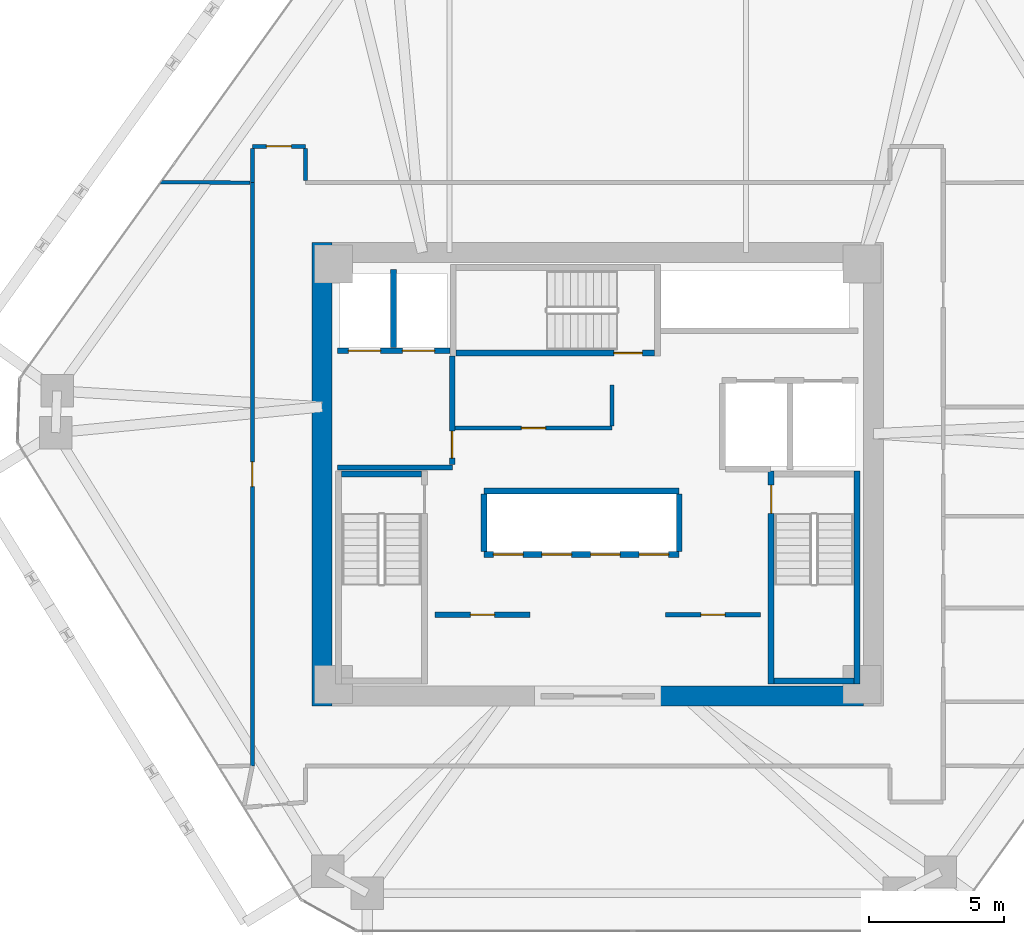
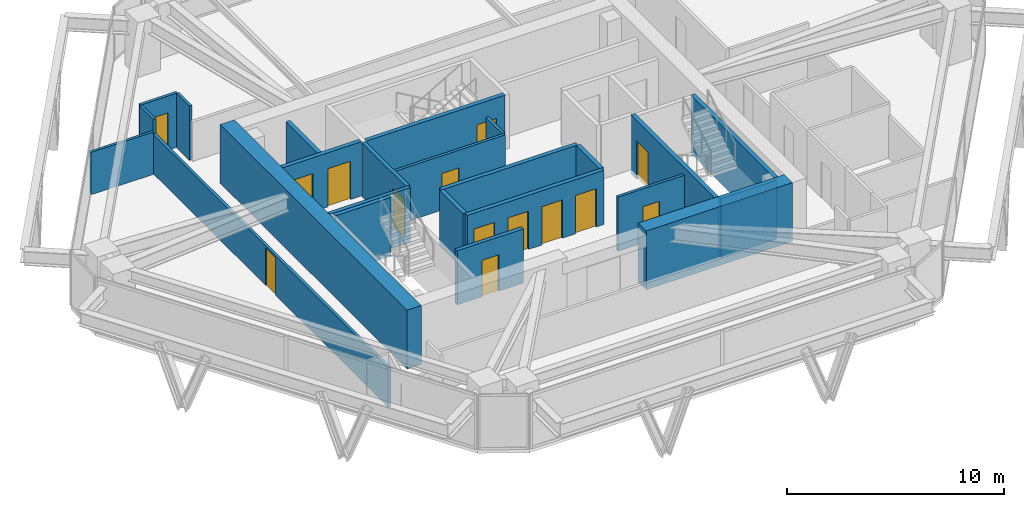
# One storey, part 10 of 13: 24 walls, 14 doors, 14 openings.
"""IFC4 building model written with IfcOpenShell, lengths in metres."""

from ifc_helpers import new_model, si_unit, direction, frame, frame_2d, origin, place, context, subcontext, project, spatial, rectangle, extrude, source, transform, mapped, material, layer, layer_set, type_object, type_shapes, element, fill, save


model = new_model("IFC4")

# Units and contexts
model_context = context("Model", 3, precision=1e-05, world=origin(), true_north=direction((0.0, 1.0)))
body_context = subcontext(model_context, "Body", "Model", "MODEL_VIEW")
ifc_project = project(units=[si_unit("LENGTHUNIT", "METRE"), si_unit("AREAUNIT", "SQUARE_METRE"), si_unit("VOLUMEUNIT", "CUBIC_METRE"), si_unit("PLANEANGLEUNIT", "RADIAN"), si_unit("MASSUNIT", "GRAM", prefix="KILO")], contexts=[model_context])

# Site, building, storey
site_placement = place(None, origin())
site = spatial("IfcSite", under=ifc_project, at=site_placement, CompositionType="ELEMENT")
building_placement = place(site_placement, origin())
building = spatial("IfcBuilding", under=site, at=building_placement, Name="Durnholm Broadcast Tower", CompositionType="ELEMENT")
storey_placement = place(building_placement, frame((0.0, 0.0, 100.800048828125)))
storey = spatial("IfcBuildingStorey", under=building, at=storey_placement, Name="L26", CompositionType="ELEMENT", Elevation=100.800048828125)

# Walls
ifc_material_1 = material(Name="Concrete C70/85", Category="concrete")
ifc_layer_1 = layer(ifc_material_1, 0.75)
ifc_layer_set_1 = layer_set([ifc_layer_1], Name="Concrete C70/85")
wall_type_1 = type_object("IfcWallType", Name="WALL-CW-750", PredefinedType="SHEAR", material=ifc_layer_set_1)
wall_1_placement = place(storey_placement, frame((-10.22509765625, -8.60009765625, 0.0), z_axis=(0.0, 0.0, 1.0), x_axis=(0.0, 1.0, 0.0)))
element("IfcWall", 1, at=wall_1_placement, inside=storey, type_object=wall_type_1, Name="L26 central core shear wall CW-WEST", PredefinedType="SHEAR", context=body_context, shape_type="SweptSolid", body=[
    extrude(rectangle(XDim=17.2001953125, YDim=0.75, at=frame_2d((8.60009765625, 0.0))), origin(), (0.0, 0.0, 1.0), 3.300048828125),
])
wall_2_placement = place(storey_placement, frame((2.10009765625, -8.22509765625, 0.0), z_axis=(0.0, 0.0, 1.0), x_axis=(1.0, 0.0, 0.0)))
element("IfcWall", 2, at=wall_2_placement, inside=storey, type_object=wall_type_1, Name="L26 central core shear wall CW-S2", PredefinedType="SHEAR", context=body_context, shape_type="SweptSolid", body=[
    extrude(rectangle(XDim=7.75, YDim=0.75, at=frame_2d((3.875, 0.0))), origin(), (0.0, 0.0, 1.0), 3.300048828125),
])
ifc_material_2 = material(Name="Fire-Rated Gypsum Shaftwall", Category="concrete")
ifc_layer_2 = layer(ifc_material_2, 0.199951171875)
ifc_layer_set_2 = layer_set([ifc_layer_2], Name="Fire-Rated Gypsum Shaftwall")
wall_type_2 = type_object("IfcWallType", Name="WALL-LOB-200", PredefinedType="SOLIDWALL", material=ifc_layer_set_2)
wall_3_placement = place(storey_placement, frame((-9.64990234375, 0.25, 0.0), z_axis=(0.0, 0.0, 1.0), x_axis=(1.0, 0.0, 0.0)))
element("IfcWall", 3, at=wall_3_placement, inside=storey, type_object=wall_type_2, Name="L26 Fire Service Access Elevator lobby south wall", PredefinedType="SOLIDWALL", context=body_context, shape_type="SweptSolid", body=[
    extrude(rectangle(XDim=4.27001953125, YDim=0.199951171875, at=frame_2d((2.135009765625, 0.0))), origin(), (0.0, 0.0, 1.0), 3.044921875),
])

# Wall, opening, door
wall_4_placement = place(storey_placement, frame((-5.39990234375, 0.35400390625, 0.0), z_axis=(0.0, 0.0, 1.0), x_axis=(0.0, 1.0, 0.0)))
wall_4 = element("IfcWall", 4, at=wall_4_placement, inside=storey, type_object=wall_type_2, Name="L26 Fire Service Access Elevator lobby east fire wall", PredefinedType="SOLIDWALL", context=body_context, shape_type="SweptSolid", body=[
    extrude(rectangle(XDim=4.02587890625, YDim=0.199951171875, at=frame_2d((2.012939453125, 0.0))), origin(), (0.0, 0.0, 1.0), 3.044921875),
])
opening_1_placement = place(wall_4_placement, frame((0.24609375, 0.0, 0.0)))
opening_1 = element("IfcOpeningElement", 5, at=opening_1_placement, cuts=wall_4, Name="Opening DL-60L", PredefinedType="OPENING", context=body_context, shape_type="SweptSolid", body=[
    extrude(rectangle(XDim=1.0, YDim=2.14990234375, at=frame_2d((0.5, 1.074951171875))), frame((0.0, 0.10986328125, 0.0), z_axis=(0.0, -1.0, 0.0), x_axis=(1.0, 0.0, 0.0)), (0.0, 0.0, 1.0), 0.219970703125),
])
ifc_material_3 = material(Name="Fire-Rated Timber/Steel Door", Category="steel")
ifc_layer_3 = layer(ifc_material_3, 0.050048828125)
ifc_layer_set_3 = layer_set([ifc_layer_3], Name="Fire-Rated Timber/Steel Door")
door_type_1 = type_object("IfcDoorType", Name="DOOR-LOB-FD60-L", OperationType="NOTDEFINED", PredefinedType="DOOR", material=ifc_layer_set_3)
shared_shape_1 = source(origin(), body_context, "Body", "SweptSolid", [
    extrude(rectangle(XDim=1.0, YDim=2.14990234375, at=frame_2d((0.5, 1.074951171875))), frame((0.0, 0.02490234375, 0.0), z_axis=(0.0, -1.0, 0.0), x_axis=(1.0, 0.0, 0.0)), (0.0, 0.0, 1.0), 0.050048828125),
])
type_shapes(door_type_1, [shared_shape_1])
door_1_placement = place(opening_1_placement, origin())
door_1 = element("IfcDoor", 6, at=door_1_placement, inside=storey, type_object=door_type_1, Name="L26 Fire Service Access Elevator lobby smoke door", OperationType="SINGLE_SWING_LEFT", OverallHeight=2.14990234375, OverallWidth=1.0, PredefinedType="DOOR", context=body_context, shape_type="MappedRepresentation", body=[
    mapped(shared_shape_1, transform((0.0, 0.0, 0.0), x_axis=(1.0, 0.0, 0.0), y_axis=(0.0, 1.0, 0.0), z_axis=(0.0, 0.0, 1.0), scale=1.0)),
])
fill(opening_1, door_1)

wall_5_placement = place(storey_placement, frame((-6.0400390625, -5.2099609375, 0.0), z_axis=(0.0, 0.0, 1.0), x_axis=(1.0, 0.0, 0.0)))
wall_5 = element("IfcWall", 7, at=wall_5_placement, inside=storey, type_object=wall_type_2, Name="L26 Broadcast Signal Rack Room corridor partition", PredefinedType="SOLIDWALL", context=body_context, shape_type="SweptSolid", body=[
    extrude(rectangle(XDim=3.530029296875, YDim=0.199951171875, at=frame_2d((1.76513671875, 0.0))), origin(), (0.0, 0.0, 1.0), 3.044921875),
])
opening_2_placement = place(wall_5_placement, frame((1.31494140625, 0.0, 0.0)))
opening_2 = element("IfcOpeningElement", 8, at=opening_2_placement, cuts=wall_5, Name="Opening DC-60L", PredefinedType="OPENING", context=body_context, shape_type="SweptSolid", body=[
    extrude(rectangle(XDim=0.89990234375, YDim=2.050048828125, at=frame_2d((0.449951171875, 1.02490234375))), frame((0.0, 0.10986328125, 0.0), z_axis=(0.0, -1.0, 0.0), x_axis=(1.0, 0.0, 0.0)), (0.0, 0.0, 1.0), 0.219970703125),
])
ifc_material_4 = material(Name="Fire-Rated Core Service Door", Category="steel")
ifc_layer_4 = layer(ifc_material_4, 0.050048828125)
ifc_layer_set_4 = layer_set([ifc_layer_4], Name="Fire-Rated Core Service Door")
door_type_2 = type_object("IfcDoorType", Name="DOOR-CORE-FD60-L", OperationType="NOTDEFINED", PredefinedType="DOOR", material=ifc_layer_set_4)
shared_shape_2 = source(origin(), body_context, "Body", "SweptSolid", [
    extrude(rectangle(XDim=0.89990234375, YDim=2.050048828125, at=frame_2d((0.449951171875, 1.02490234375))), frame((0.0, 0.02490234375, 0.0), z_axis=(0.0, -1.0, 0.0), x_axis=(1.0, 0.0, 0.0)), (0.0, 0.0, 1.0), 0.050048828125),
])
type_shapes(door_type_2, [shared_shape_2])
door_2_placement = place(opening_2_placement, origin())
door_2 = element("IfcDoor", 9, at=door_2_placement, inside=storey, type_object=door_type_2, Name="L26 Broadcast Signal Rack Room entrance door", OperationType="SINGLE_SWING_LEFT", OverallHeight=2.050048828125, OverallWidth=0.89990234375, PredefinedType="DOOR", context=body_context, shape_type="MappedRepresentation", body=[
    mapped(shared_shape_2, transform((0.0, 0.0, 0.0), x_axis=(1.0, 0.0, 0.0), y_axis=(0.0, 1.0, 0.0), z_axis=(0.0, 0.0, 1.0), scale=1.0)),
])
fill(opening_2, door_2)

# Wall
ifc_material_5 = material(Name="Gypsum Metal Stud Partition", Category="concrete")
ifc_layer_5 = layer(ifc_material_5, 0.135009765625)
ifc_layer_set_5 = layer_set([ifc_layer_5], Name="Gypsum Metal Stud Partition")
wall_type_3 = type_object("IfcWallType", Name="WALL-PART-135", PredefinedType="PARTITIONING", material=ifc_layer_set_5)
wall_6_placement = place(storey_placement, frame((-12.888916015625, 10.810546875, 0.0), z_axis=(0.0, 0.0, 1.0), x_axis=(-0.999976657862, 0.006832549348, 0.0)))
element("IfcWall", 10, at=wall_6_placement, inside=storey, type_object=wall_type_3, Name="L26 room dividing partition 7.9", PredefinedType="PARTITIONING", context=body_context, shape_type="SweptSolid", body=[
    extrude(rectangle(XDim=3.322998046875, YDim=0.135009765625, at=frame_2d((1.66162109375, 0.0))), origin(), (0.0, 0.0, 1.0), 2.3798828125),
])

# Wall, opening, door
ifc_material_6 = material(Name="Acoustic Gypsum Stud Partition", Category="concrete")
ifc_layer_6 = layer(ifc_material_6, 0.14990234375)
ifc_layer_set_6 = layer_set([ifc_layer_6], Name="Acoustic Gypsum Stud Partition")
wall_type_4 = type_object("IfcWallType", Name="WALL-PART-150", PredefinedType="PARTITIONING", material=ifc_layer_set_6)
wall_7_placement = place(storey_placement, frame((2.510009765625, -5.2099609375, 0.0), z_axis=(0.0, 0.0, 1.0), x_axis=(1.0, 0.0, 0.0)))
wall_7 = element("IfcWall", 11, at=wall_7_placement, inside=storey, type_object=wall_type_4, Name="L26 Editorial Beverage Pantry corridor partition", PredefinedType="PARTITIONING", context=body_context, shape_type="SweptSolid", body=[
    extrude(rectangle(XDim=3.530029296875, YDim=0.14990234375, at=frame_2d((1.76513671875, 0.0))), origin(), (0.0, 0.0, 1.0), 3.044921875),
])
opening_3_placement = place(wall_7_placement, frame((1.31494140625, 0.0, 0.0)))
opening_3 = element("IfcOpeningElement", 12, at=opening_3_placement, cuts=wall_7, Name="Opening DC-60R", PredefinedType="OPENING", context=body_context, shape_type="SweptSolid", body=[
    extrude(rectangle(XDim=0.89990234375, YDim=2.050048828125, at=frame_2d((0.449951171875, 1.02490234375))), frame((0.0, 0.0849609375, 0.0), z_axis=(0.0, -1.0, 0.0), x_axis=(1.0, 0.0, 0.0)), (0.0, 0.0, 1.0), 0.169921875),
])
ifc_layer_7 = layer(ifc_material_4, 0.050048828125)
ifc_layer_set_7 = layer_set([ifc_layer_7], Name="Fire-Rated Core Service Door")
door_type_3 = type_object("IfcDoorType", Name="DOOR-CORE-FD60-R", OperationType="NOTDEFINED", PredefinedType="DOOR", material=ifc_layer_set_7)
shared_shape_3 = source(origin(), body_context, "Body", "SweptSolid", [
    extrude(rectangle(XDim=0.89990234375, YDim=2.050048828125, at=frame_2d((0.449951171875, 1.02490234375))), frame((0.0, 0.02490234375, 0.0), z_axis=(0.0, -1.0, 0.0), x_axis=(1.0, 0.0, 0.0)), (0.0, 0.0, 1.0), 0.050048828125),
])
type_shapes(door_type_3, [shared_shape_3])
door_3_placement = place(opening_3_placement, origin())
door_3 = element("IfcDoor", 13, at=door_3_placement, inside=storey, type_object=door_type_3, Name="L26 Editorial Beverage Pantry entrance door", OperationType="SINGLE_SWING_RIGHT", OverallHeight=2.050048828125, OverallWidth=0.89990234375, PredefinedType="DOOR", context=body_context, shape_type="MappedRepresentation", body=[
    mapped(shared_shape_3, transform((0.0, 0.0, 0.0), x_axis=(1.0, 0.0, 0.0), y_axis=(0.0, 1.0, 0.0), z_axis=(0.0, 0.0, 1.0), scale=1.0)),
])
fill(opening_3, door_3)

wall_8_placement = place(storey_placement, frame((0.52001953125, 1.7099609375, 0.0), z_axis=(0.0, 0.0, 1.0), x_axis=(-1.0, 0.0, 0.0)))
wall_8 = element("IfcWall", 14, at=wall_8_placement, inside=storey, type_object=wall_type_4, Name="L26 Core Housekeeping Room corridor partition", PredefinedType="PARTITIONING", context=body_context, shape_type="SweptSolid", body=[
    extrude(rectangle(XDim=5.81591796875, YDim=0.14990234375, at=frame_2d((2.907958984375, 0.0))), origin(), (0.0, 0.0, 1.0), 3.044921875),
])
opening_4_placement = place(wall_8_placement, frame((2.4580078125, 0.0, 0.0)))
opening_4 = element("IfcOpeningElement", 15, at=opening_4_placement, cuts=wall_8, Name="Opening DC-60L", PredefinedType="OPENING", context=body_context, shape_type="SweptSolid", body=[
    extrude(rectangle(XDim=0.89990234375, YDim=2.050048828125, at=frame_2d((0.449951171875, 1.02490234375))), frame((0.0, 0.0849609375, 0.0), z_axis=(0.0, -1.0, 0.0), x_axis=(1.0, 0.0, 0.0)), (0.0, 0.0, 1.0), 0.169921875),
])
door_4_placement = place(opening_4_placement, origin())
door_4 = element("IfcDoor", 16, at=door_4_placement, inside=storey, type_object=door_type_2, Name="L26 Core Housekeeping Room entrance door", OperationType="SINGLE_SWING_LEFT", OverallHeight=2.050048828125, OverallWidth=0.89990234375, PredefinedType="DOOR", context=body_context, shape_type="MappedRepresentation", body=[
    mapped(shared_shape_2, transform((0.0, 0.0, 0.0), x_axis=(1.0, 0.0, 0.0), y_axis=(0.0, 1.0, 0.0), z_axis=(0.0, 0.0, 1.0), scale=1.0)),
])
fill(opening_4, door_4)

# Wall
wall_9_placement = place(storey_placement, frame((0.52001953125, 3.300048828125, 0.0), z_axis=(0.0, 0.0, 1.0), x_axis=(0.0, -1.0, 0.0)))
element("IfcWall", 17, at=wall_9_placement, inside=storey, type_object=wall_type_4, Name="L26 Core Housekeeping Room corridor partition", PredefinedType="PARTITIONING", context=body_context, shape_type="SweptSolid", body=[
    extrude(rectangle(XDim=1.510986328125, YDim=0.14990234375, at=frame_2d((0.75537109375, 0.0))), origin(), (0.0, 0.0, 1.0), 3.044921875),
])

# Wall, opening, door
wall_10_placement = place(storey_placement, frame((-10.840087890625, 12.159912109375, 0.0), z_axis=(0.0, 0.0, 1.0), x_axis=(-1.0, 0.0, 0.0)))
wall_10 = element("IfcWall", 18, at=wall_10_placement, inside=storey, type_object=wall_type_4, Name="L26 Network Operations Hall corridor partition", PredefinedType="PARTITIONING", context=body_context, shape_type="SweptSolid", body=[
    extrude(rectangle(XDim=1.969970703125, YDim=0.14990234375, at=frame_2d((0.98486328125, 0.0))), origin(), (0.0, 0.0, 1.0), 3.044921875),
])
opening_5_placement = place(wall_10_placement, frame((0.52490234375, 0.0, 0.0)))
opening_5 = element("IfcOpeningElement", 19, at=opening_5_placement, cuts=wall_10, Name="Opening DR-92L", PredefinedType="OPENING", context=body_context, shape_type="SweptSolid", body=[
    extrude(rectangle(XDim=0.919921875, YDim=2.10009765625, at=frame_2d((0.4599609375, 1.050048828125))), frame((0.0, 0.0849609375, 0.0), z_axis=(0.0, -1.0, 0.0), x_axis=(1.0, 0.0, 0.0)), (0.0, 0.0, 1.0), 0.169921875),
])
ifc_material_7 = material(Name="Oak Veneer Office Door", Category="wood")
ifc_layer_8 = layer(ifc_material_7, 0.050048828125)
ifc_layer_set_8 = layer_set([ifc_layer_8], Name="Oak Veneer Office Door")
door_type_4 = type_object("IfcDoorType", Name="DOOR-RM-920L", OperationType="NOTDEFINED", PredefinedType="DOOR", material=ifc_layer_set_8)
shared_shape_4 = source(origin(), body_context, "Body", "SweptSolid", [
    extrude(rectangle(XDim=0.919921875, YDim=2.10009765625, at=frame_2d((0.4599609375, 1.050048828125))), frame((0.0, 0.02490234375, 0.0), z_axis=(0.0, -1.0, 0.0), x_axis=(1.0, 0.0, 0.0)), (0.0, 0.0, 1.0), 0.050048828125),
])
type_shapes(door_type_4, [shared_shape_4])
door_5_placement = place(opening_5_placement, origin())
door_5 = element("IfcDoor", 20, at=door_5_placement, inside=storey, type_object=door_type_4, Name="L26 Network Operations Hall entrance door", OperationType="SINGLE_SWING_LEFT", OverallHeight=2.10009765625, OverallWidth=0.919921875, PredefinedType="DOOR", context=body_context, shape_type="MappedRepresentation", body=[
    mapped(shared_shape_4, transform((0.0, 0.0, 0.0), x_axis=(1.0, 0.0, 0.0), y_axis=(0.0, 1.0, 0.0), z_axis=(0.0, 0.0, 1.0), scale=1.0)),
])
fill(opening_5, door_5)

# Walls
wall_11_placement = place(storey_placement, frame((-10.840087890625, 10.888916015625, 0.0), z_axis=(0.0, 0.0, 1.0), x_axis=(0.0, 1.0, 0.0)))
element("IfcWall", 21, at=wall_11_placement, inside=storey, type_object=wall_type_4, Name="L26 Network Operations Hall corridor partition", PredefinedType="PARTITIONING", context=body_context, shape_type="SweptSolid", body=[
    extrude(rectangle(XDim=1.192138671875, YDim=0.14990234375, at=frame_2d((0.59619140625, 0.0))), origin(), (0.0, 0.0, 1.0), 3.044921875),
])
wall_12_placement = place(storey_placement, frame((-12.81005859375, 12.0810546875, 0.0), z_axis=(0.0, 0.0, 1.0), x_axis=(0.0, -1.0, 0.0)))
element("IfcWall", 22, at=wall_12_placement, inside=storey, type_object=wall_type_4, Name="L26 Network Operations Hall corridor partition", PredefinedType="PARTITIONING", context=body_context, shape_type="SweptSolid", body=[
    extrude(rectangle(XDim=1.27099609375, YDim=0.14990234375, at=frame_2d((0.635498046875, 0.0))), origin(), (0.0, 0.0, 1.0), 3.044921875),
])

# Wall, opening, door
wall_13_placement = place(storey_placement, frame((-12.81005859375, 10.81005859375, 0.0), z_axis=(0.0, 0.0, 1.0), x_axis=(0.0, -1.0, 0.0)))
wall_13 = element("IfcWall", 23, at=wall_13_placement, inside=storey, type_object=wall_type_4, Name="L26 Engineering Briefing Meeting Room corridor partition", PredefinedType="PARTITIONING", context=body_context, shape_type="SweptSolid", body=[
    extrude(rectangle(XDim=21.6201171875, YDim=0.14990234375, at=frame_2d((10.81005859375, 0.0))), origin(), (0.0, 0.0, 1.0), 2.212158203125),
])
opening_6_placement = place(wall_13_placement, frame((10.35009765625, 0.0, 0.0)))
opening_6 = element("IfcOpeningElement", 24, at=opening_6_placement, cuts=wall_13, Name="Opening DR-92L", PredefinedType="OPENING", context=body_context, shape_type="SweptSolid", body=[
    extrude(rectangle(XDim=0.919921875, YDim=2.10009765625, at=frame_2d((0.4599609375, 1.050048828125))), frame((0.0, 0.0849609375, 0.0), z_axis=(0.0, -1.0, 0.0), x_axis=(1.0, 0.0, 0.0)), (0.0, 0.0, 1.0), 0.169921875),
])
door_6_placement = place(opening_6_placement, origin())
door_6 = element("IfcDoor", 25, at=door_6_placement, inside=storey, type_object=door_type_4, Name="L26 Engineering Briefing Meeting Room entrance door", OperationType="SINGLE_SWING_LEFT", OverallHeight=2.10009765625, OverallWidth=0.919921875, PredefinedType="DOOR", context=body_context, shape_type="MappedRepresentation", body=[
    mapped(shared_shape_4, transform((0.0, 0.0, 0.0), x_axis=(1.0, 0.0, 0.0), y_axis=(0.0, 1.0, 0.0), z_axis=(0.0, 0.0, 1.0), scale=1.0)),
])
fill(opening_6, door_6)

# Wall, openings, doors
ifc_material_8 = material(Name="Concrete Blockwork C30/37", Category="masonry")
ifc_layer_9 = layer(ifc_material_8, 0.219970703125)
ifc_layer_set_9 = layer_set([ifc_layer_9], Name="Concrete Blockwork C30/37")
wall_type_5 = type_object("IfcWallType", Name="WALL-SHAFT-220", PredefinedType="SOLIDWALL", material=ifc_layer_set_9)
wall_14_placement = place(storey_placement, frame((-9.64990234375, 4.580078125, 0.0), z_axis=(0.0, 0.0, 1.0), x_axis=(1.0, 0.0, 0.0)))
wall_14 = element("IfcWall", 26, at=wall_14_placement, inside=storey, type_object=wall_type_5, Name="L26 FSAE hoistway front fire wall", PredefinedType="SOLIDWALL", context=body_context, shape_type="SweptSolid", body=[
    extrude(rectangle(XDim=4.1748046875, YDim=0.219970703125, at=frame_2d((2.08740234375, 0.0))), origin(), (0.0, 0.0, 1.0), 3.044921875),
])
opening_7_placement = place(wall_14_placement, frame((0.39990234375, 0.0, 0.0)))
opening_7 = element("IfcOpeningElement", 27, at=opening_7_placement, cuts=wall_14, Name="Opening LD-FSAE-2", PredefinedType="OPENING", context=body_context, shape_type="SweptSolid", body=[
    extrude(rectangle(XDim=1.199951171875, YDim=2.14990234375, at=frame_2d((0.60009765625, 1.074951171875))), frame((0.0, 0.1201171875, 0.0), z_axis=(0.0, -1.0, 0.0), x_axis=(1.0, 0.0, 0.0)), (0.0, 0.0, 1.0), 0.239990234375),
])
opening_8_placement = place(wall_14_placement, frame((2.39990234375, 0.0, 0.0)))
opening_8 = element("IfcOpeningElement", 28, at=opening_8_placement, cuts=wall_14, Name="Opening LD-FSAE-1", PredefinedType="OPENING", context=body_context, shape_type="SweptSolid", body=[
    extrude(rectangle(XDim=1.199951171875, YDim=2.14990234375, at=frame_2d((0.60009765625, 1.074951171875))), frame((0.0, 0.1201171875, 0.0), z_axis=(0.0, -1.0, 0.0), x_axis=(1.0, 0.0, 0.0)), (0.0, 0.0, 1.0), 0.239990234375),
])
ifc_material_9 = material(Name="Fire Service Access Sliding Landing Door", Category="steel")
ifc_layer_10 = layer(ifc_material_9, 0.050048828125)
ifc_layer_set_10 = layer_set([ifc_layer_10], Name="Fire Service Access Sliding Landing Door")
door_type_5 = type_object("IfcDoorType", Name="DOOR-LIFT-FSAE", OperationType="DOUBLE_DOOR_SLIDING", PredefinedType="DOOR", material=ifc_layer_set_10)
shared_shape_5 = source(origin(), body_context, "Body", "SweptSolid", [
    extrude(rectangle(XDim=1.199951171875, YDim=2.14990234375, at=frame_2d((0.60009765625, 1.074951171875))), frame((0.0, 0.02490234375, 0.0), z_axis=(0.0, -1.0, 0.0), x_axis=(1.0, 0.0, 0.0)), (0.0, 0.0, 1.0), 0.050048828125),
])
type_shapes(door_type_5, [shared_shape_5])
door_7_placement = place(opening_7_placement, origin())
door_7 = element("IfcDoor", 29, at=door_7_placement, inside=storey, type_object=door_type_5, Name="L26 Fire Service Access Elevator FSAE-2 sliding landing door", OperationType="DOUBLE_DOOR_SLIDING", OverallHeight=2.14990234375, OverallWidth=1.199951171875, PredefinedType="DOOR", context=body_context, shape_type="MappedRepresentation", body=[
    mapped(shared_shape_5, transform((0.0, 0.0, 0.0), x_axis=(1.0, 0.0, 0.0), y_axis=(0.0, 1.0, 0.0), z_axis=(0.0, 0.0, 1.0), scale=1.0)),
])
fill(opening_7, door_7)
door_8_placement = place(opening_8_placement, origin())
door_8 = element("IfcDoor", 30, at=door_8_placement, inside=storey, type_object=door_type_5, Name="L26 Fire Service Access Elevator FSAE-1 sliding landing door", OperationType="DOUBLE_DOOR_SLIDING", OverallHeight=2.14990234375, OverallWidth=1.199951171875, PredefinedType="DOOR", context=body_context, shape_type="MappedRepresentation", body=[
    mapped(shared_shape_5, transform((0.0, 0.0, 0.0), x_axis=(1.0, 0.0, 0.0), y_axis=(0.0, 1.0, 0.0), z_axis=(0.0, 0.0, 1.0), scale=1.0)),
])
fill(opening_8, door_8)

# Wall
wall_15_placement = place(storey_placement, frame((-7.580078125, 4.694091796875, 0.0), z_axis=(0.0, 0.0, 1.0), x_axis=(0.0, 1.0, 0.0)))
element("IfcWall", 31, at=wall_15_placement, inside=storey, type_object=wall_type_5, Name="L26 FSAE shaft divider wall", PredefinedType="SOLIDWALL", context=body_context, shape_type="SweptSolid", body=[
    extrude(rectangle(XDim=2.906005859375, YDim=0.219970703125, at=frame_2d((1.453125, 0.0))), origin(), (0.0, 0.0, 1.0), 3.044921875),
])

# Wall, openings, doors
wall_16_placement = place(storey_placement, frame((-4.219970703125, -2.97998046875, 0.0), z_axis=(0.0, 0.0, 1.0), x_axis=(1.0, 0.0, 0.0)))
wall_16 = element("IfcWall", 32, at=wall_16_placement, inside=storey, type_object=wall_type_5, Name="L26 mid-rise bank P2 south front wall", PredefinedType="SOLIDWALL", context=body_context, shape_type="SweptSolid", body=[
    extrude(rectangle(XDim=7.239990234375, YDim=0.219970703125, at=frame_2d((3.6201171875, 0.0))), origin(), (0.0, 0.0, 1.0), 3.044921875),
])
opening_9_placement = place(wall_16_placement, frame((0.35009765625, 0.0, 0.0)))
opening_9 = element("IfcOpeningElement", 33, at=opening_9_placement, cuts=wall_16, Name="Opening LD-LP2-1", PredefinedType="OPENING", context=body_context, shape_type="SweptSolid", body=[
    extrude(rectangle(XDim=1.10009765625, YDim=2.14990234375, at=frame_2d((0.550048828125, 1.074951171875))), frame((0.0, 0.1201171875, 0.0), z_axis=(0.0, -1.0, 0.0), x_axis=(1.0, 0.0, 0.0)), (0.0, 0.0, 1.0), 0.239990234375),
])
opening_10_placement = place(wall_16_placement, frame((2.14990234375, 0.0, 0.0)))
opening_10 = element("IfcOpeningElement", 34, at=opening_10_placement, cuts=wall_16, Name="Opening LD-LP2-2", PredefinedType="OPENING", context=body_context, shape_type="SweptSolid", body=[
    extrude(rectangle(XDim=1.10009765625, YDim=2.14990234375, at=frame_2d((0.550048828125, 1.074951171875))), frame((0.0, 0.1201171875, 0.0), z_axis=(0.0, -1.0, 0.0), x_axis=(1.0, 0.0, 0.0)), (0.0, 0.0, 1.0), 0.239990234375),
])
opening_11_placement = place(wall_16_placement, frame((3.949951171875, 0.0, 0.0)))
opening_11 = element("IfcOpeningElement", 35, at=opening_11_placement, cuts=wall_16, Name="Opening LD-LP2-3", PredefinedType="OPENING", context=body_context, shape_type="SweptSolid", body=[
    extrude(rectangle(XDim=1.10009765625, YDim=2.14990234375, at=frame_2d((0.550048828125, 1.074951171875))), frame((0.0, 0.1201171875, 0.0), z_axis=(0.0, -1.0, 0.0), x_axis=(1.0, 0.0, 0.0)), (0.0, 0.0, 1.0), 0.239990234375),
])
opening_12_placement = place(wall_16_placement, frame((5.75, 0.0, 0.0)))
opening_12 = element("IfcOpeningElement", 36, at=opening_12_placement, cuts=wall_16, Name="Opening LD-LP2-4", PredefinedType="OPENING", context=body_context, shape_type="SweptSolid", body=[
    extrude(rectangle(XDim=1.10009765625, YDim=2.14990234375, at=frame_2d((0.550048828125, 1.074951171875))), frame((0.0, 0.1201171875, 0.0), z_axis=(0.0, -1.0, 0.0), x_axis=(1.0, 0.0, 0.0)), (0.0, 0.0, 1.0), 0.239990234375),
])
ifc_material_10 = material(Name="Stainless Steel Sliding Elevator Landing Door", Category="steel")
ifc_layer_11 = layer(ifc_material_10, 0.050048828125)
ifc_layer_set_11 = layer_set([ifc_layer_11], Name="Stainless Steel Sliding Elevator Landing Door")
door_type_6 = type_object("IfcDoorType", Name="DOOR-LIFT-PAX", OperationType="DOUBLE_DOOR_SLIDING", PredefinedType="DOOR", material=ifc_layer_set_11)
shared_shape_6 = source(origin(), body_context, "Body", "SweptSolid", [
    extrude(rectangle(XDim=1.10009765625, YDim=2.14990234375, at=frame_2d((0.550048828125, 1.074951171875))), frame((0.0, 0.02490234375, 0.0), z_axis=(0.0, -1.0, 0.0), x_axis=(1.0, 0.0, 0.0)), (0.0, 0.0, 1.0), 0.050048828125),
])
type_shapes(door_type_6, [shared_shape_6])
door_9_placement = place(opening_9_placement, origin())
door_9 = element("IfcDoor", 37, at=door_9_placement, inside=storey, type_object=door_type_6, Name="L26 passenger elevator LP2-1 sliding landing door", OperationType="DOUBLE_DOOR_SLIDING", OverallHeight=2.14990234375, OverallWidth=1.10009765625, PredefinedType="DOOR", context=body_context, shape_type="MappedRepresentation", body=[
    mapped(shared_shape_6, transform((0.0, 0.0, 0.0), x_axis=(1.0, 0.0, 0.0), y_axis=(0.0, 1.0, 0.0), z_axis=(0.0, 0.0, 1.0), scale=1.0)),
])
fill(opening_9, door_9)
door_10_placement = place(opening_10_placement, origin())
door_10 = element("IfcDoor", 38, at=door_10_placement, inside=storey, type_object=door_type_6, Name="L26 passenger elevator LP2-2 sliding landing door", OperationType="DOUBLE_DOOR_SLIDING", OverallHeight=2.14990234375, OverallWidth=1.10009765625, PredefinedType="DOOR", context=body_context, shape_type="MappedRepresentation", body=[
    mapped(shared_shape_6, transform((0.0, 0.0, 0.0), x_axis=(1.0, 0.0, 0.0), y_axis=(0.0, 1.0, 0.0), z_axis=(0.0, 0.0, 1.0), scale=1.0)),
])
fill(opening_10, door_10)
door_11_placement = place(opening_11_placement, origin())
door_11 = element("IfcDoor", 39, at=door_11_placement, inside=storey, type_object=door_type_6, Name="L26 passenger elevator LP2-3 sliding landing door", OperationType="DOUBLE_DOOR_SLIDING", OverallHeight=2.14990234375, OverallWidth=1.10009765625, PredefinedType="DOOR", context=body_context, shape_type="MappedRepresentation", body=[
    mapped(shared_shape_6, transform((0.0, 0.0, 0.0), x_axis=(1.0, 0.0, 0.0), y_axis=(0.0, 1.0, 0.0), z_axis=(0.0, 0.0, 1.0), scale=1.0)),
])
fill(opening_11, door_11)
door_12_placement = place(opening_12_placement, origin())
door_12 = element("IfcDoor", 40, at=door_12_placement, inside=storey, type_object=door_type_6, Name="L26 passenger elevator LP2-4 sliding landing door", OperationType="DOUBLE_DOOR_SLIDING", OverallHeight=2.14990234375, OverallWidth=1.10009765625, PredefinedType="DOOR", context=body_context, shape_type="MappedRepresentation", body=[
    mapped(shared_shape_6, transform((0.0, 0.0, 0.0), x_axis=(1.0, 0.0, 0.0), y_axis=(0.0, 1.0, 0.0), z_axis=(0.0, 0.0, 1.0), scale=1.0)),
])
fill(opening_12, door_12)

# Walls
wall_17_placement = place(storey_placement, frame((-4.219970703125, -0.6201171875, 0.0), z_axis=(0.0, 0.0, 1.0), x_axis=(1.0, 0.0, 0.0)))
element("IfcWall", 41, at=wall_17_placement, inside=storey, type_object=wall_type_5, Name="L26 mid-rise bank P2 north shaft wall", PredefinedType="SOLIDWALL", context=body_context, shape_type="SweptSolid", body=[
    extrude(rectangle(XDim=7.239990234375, YDim=0.219970703125, at=frame_2d((3.6201171875, 0.0))), origin(), (0.0, 0.0, 1.0), 3.044921875),
])
for number, where, z_axis, x_axis, name in (
    (42, (-4.219970703125, -2.865966796875, 0.0), (0.0, 0.0, 1.0), (0.0, 1.0, 0.0), "L26 mid-rise bank P2 west shaft wall"),
    (43, (3.02001953125, -2.865966796875, 0.0), (0.0, 0.0, 1.0), (0.0, 1.0, 0.0), "L26 mid-rise bank P2 east shaft wall"),
):
    element("IfcWall", number, at=place(storey_placement, frame(where, z_axis=z_axis, x_axis=x_axis)), inside=storey, type_object=wall_type_5, Name=name, PredefinedType="SOLIDWALL", context=body_context, shape_type="SweptSolid", body=[
        extrude(rectangle(XDim=2.132080078125, YDim=0.219970703125, at=frame_2d((1.06591796875, 0.0))), origin(), (0.0, 0.0, 1.0), 3.044921875),
    ])
ifc_material_11 = material(Name="Concrete C50/60", Category="concrete")
ifc_layer_12 = layer(ifc_material_11, 0.219970703125)
ifc_layer_set_12 = layer_set([ifc_layer_12], Name="Concrete C50/60")
wall_type_6 = type_object("IfcWallType", Name="WALL-SW-220", PredefinedType="SHEAR", material=ifc_layer_set_12)
wall_18_placement = place(storey_placement, frame((-6.5400390625, 0.010009765625, -0.239990234375), z_axis=(0.0, 0.0, 1.0), x_axis=(-1.0, 0.0, 0.0)))
element("IfcWall", 44, at=wall_18_placement, inside=storey, type_object=wall_type_6, Name="L26 stair ST-1 structural shaft wall N", PredefinedType="SHEAR", context=body_context, shape_type="SweptSolid", body=[
    extrude(rectangle(XDim=2.9599609375, YDim=0.219970703125, at=frame_2d((1.47998046875, 0.0))), origin(), (0.0, 0.0, 1.0), 3.300048828125),
])
wall_19_placement = place(storey_placement, frame((9.610107421875, -7.77001953125, -0.239990234375), z_axis=(0.0, 0.0, 1.0), x_axis=(0.0, 1.0, 0.0)))
element("IfcWall", 45, at=wall_19_placement, inside=storey, type_object=wall_type_6, Name="L26 stair ST-2 structural shaft wall E", PredefinedType="SHEAR", context=body_context, shape_type="SweptSolid", body=[
    extrude(rectangle(XDim=7.89013671875, YDim=0.219970703125, at=frame_2d((3.945068359375, 0.0))), origin(), (0.0, 0.0, 1.0), 3.300048828125),
])

# Wall, opening, door
wall_20_placement = place(storey_placement, frame((6.429931640625, 0.1201171875, -0.239990234375), z_axis=(0.0, 0.0, 1.0), x_axis=(0.0, -1.0, 0.0)))
wall_20 = element("IfcWall", 46, at=wall_20_placement, inside=storey, type_object=wall_type_6, Name="L26 stair ST-2 structural shaft wall W", PredefinedType="SHEAR", context=body_context, shape_type="SweptSolid", body=[
    extrude(rectangle(XDim=7.89013671875, YDim=0.219970703125, at=frame_2d((3.945068359375, 0.0))), origin(), (0.0, 0.0, 1.0), 3.300048828125),
])
opening_13_placement = place(wall_20_placement, frame((0.52001953125, 0.0, 0.0)))
opening_13 = element("IfcOpeningElement", 47, at=opening_13_placement, cuts=wall_20, Name="Opening DS-90R", PredefinedType="OPENING", context=body_context, shape_type="SweptSolid", body=[
    extrude(rectangle(XDim=1.050048828125, YDim=2.14990234375, at=frame_2d((0.52490234375, 1.074951171875))), frame((0.0, 0.1201171875, 0.0), z_axis=(0.0, -1.0, 0.0), x_axis=(1.0, 0.0, 0.0)), (0.0, 0.0, 1.0), 0.239990234375),
])
ifc_material_12 = material(Name="Fire-Rated Steel Door", Category="steel")
ifc_layer_13 = layer(ifc_material_12, 0.050048828125)
ifc_layer_set_13 = layer_set([ifc_layer_13], Name="Fire-Rated Steel Door")
door_type_7 = type_object("IfcDoorType", Name="DOOR-ST-FD90-R", OperationType="NOTDEFINED", PredefinedType="DOOR", material=ifc_layer_set_13)
shared_shape_7 = source(origin(), body_context, "Body", "SweptSolid", [
    extrude(rectangle(XDim=1.050048828125, YDim=2.14990234375, at=frame_2d((0.52490234375, 1.074951171875))), frame((0.0, 0.02490234375, 0.0), z_axis=(0.0, -1.0, 0.0), x_axis=(1.0, 0.0, 0.0)), (0.0, 0.0, 1.0), 0.050048828125),
])
type_shapes(door_type_7, [shared_shape_7])
door_13_placement = place(opening_13_placement, origin())
door_13 = element("IfcDoor", 48, at=door_13_placement, inside=storey, type_object=door_type_7, Name="L26 exit stair ST-2 fire door", OperationType="SINGLE_SWING_RIGHT", OverallHeight=2.14990234375, OverallWidth=1.050048828125, PredefinedType="DOOR", context=body_context, shape_type="MappedRepresentation", body=[
    mapped(shared_shape_7, transform((0.0, 0.0, 0.0), x_axis=(1.0, 0.0, 0.0), y_axis=(0.0, 1.0, 0.0), z_axis=(0.0, 0.0, 1.0), scale=1.0)),
])
fill(opening_13, door_13)

# Wall
wall_21_placement = place(storey_placement, frame((6.5400390625, -7.659912109375, -0.239990234375), z_axis=(0.0, 0.0, 1.0), x_axis=(1.0, 0.0, 0.0)))
element("IfcWall", 49, at=wall_21_placement, inside=storey, type_object=wall_type_6, Name="L26 stair ST-2 structural shaft wall S", PredefinedType="SHEAR", context=body_context, shape_type="SweptSolid", body=[
    extrude(rectangle(XDim=2.9599609375, YDim=0.219970703125, at=frame_2d((1.47998046875, 0.0))), origin(), (0.0, 0.0, 1.0), 3.300048828125),
])

# Wall, opening, door
wall_22_placement = place(storey_placement, frame((-5.25, 4.489990234375, -0.239990234375), z_axis=(0.0, 0.0, 1.0), x_axis=(1.0, 0.0, 0.0)))
wall_22 = element("IfcWall", 50, at=wall_22_placement, inside=storey, type_object=wall_type_6, Name="L26 stair ST-3 structural shaft wall S", PredefinedType="SHEAR", context=body_context, shape_type="SweptSolid", body=[
    extrude(rectangle(XDim=7.35009765625, YDim=0.219970703125, at=frame_2d((3.675048828125, 0.0))), origin(), (0.0, 0.0, 1.0), 3.300048828125),
])
opening_14_placement = place(wall_22_placement, frame((5.85009765625, 0.0, 0.0)))
opening_14 = element("IfcOpeningElement", 51, at=opening_14_placement, cuts=wall_22, Name="Opening DS-90L", PredefinedType="OPENING", context=body_context, shape_type="SweptSolid", body=[
    extrude(rectangle(XDim=1.050048828125, YDim=2.14990234375, at=frame_2d((0.52490234375, 1.074951171875))), frame((0.0, 0.1201171875, 0.0), z_axis=(0.0, -1.0, 0.0), x_axis=(1.0, 0.0, 0.0)), (0.0, 0.0, 1.0), 0.239990234375),
])
ifc_layer_14 = layer(ifc_material_12, 0.050048828125)
ifc_layer_set_14 = layer_set([ifc_layer_14], Name="Fire-Rated Steel Door")
door_type_8 = type_object("IfcDoorType", Name="DOOR-ST-FD90-L", OperationType="NOTDEFINED", PredefinedType="DOOR", material=ifc_layer_set_14)
shared_shape_8 = source(origin(), body_context, "Body", "SweptSolid", [
    extrude(rectangle(XDim=1.050048828125, YDim=2.14990234375, at=frame_2d((0.52490234375, 1.074951171875))), frame((0.0, 0.02490234375, 0.0), z_axis=(0.0, -1.0, 0.0), x_axis=(1.0, 0.0, 0.0)), (0.0, 0.0, 1.0), 0.050048828125),
])
type_shapes(door_type_8, [shared_shape_8])
door_14_placement = place(opening_14_placement, origin())
door_14 = element("IfcDoor", 52, at=door_14_placement, inside=storey, type_object=door_type_8, Name="L26 exit stair ST-3 fire door", OperationType="SINGLE_SWING_LEFT", OverallHeight=2.14990234375, OverallWidth=1.050048828125, PredefinedType="DOOR", context=body_context, shape_type="MappedRepresentation", body=[
    mapped(shared_shape_8, transform((0.0, 0.0, 0.0), x_axis=(1.0, 0.0, 0.0), y_axis=(0.0, 1.0, 0.0), z_axis=(0.0, 0.0, 1.0), scale=1.0)),
])
fill(opening_14, door_14)

save(model, "model.ifc")
